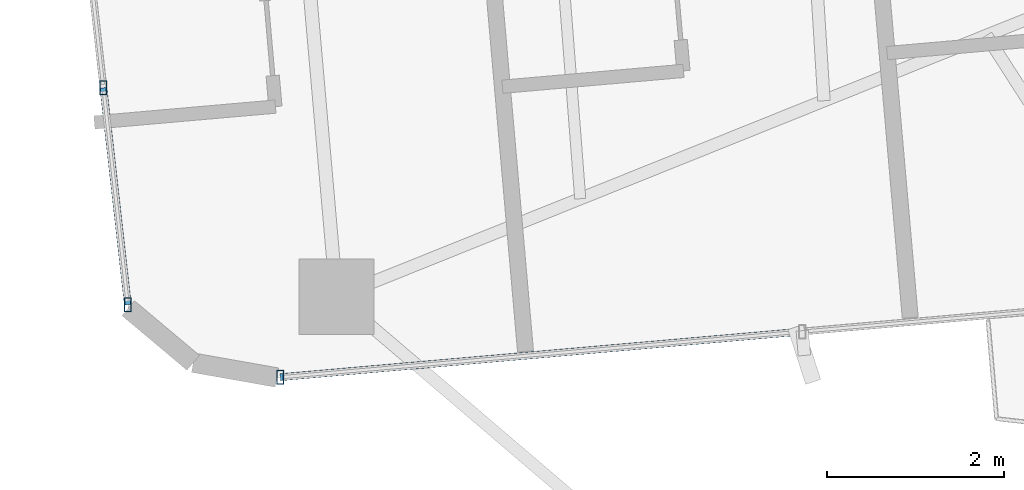
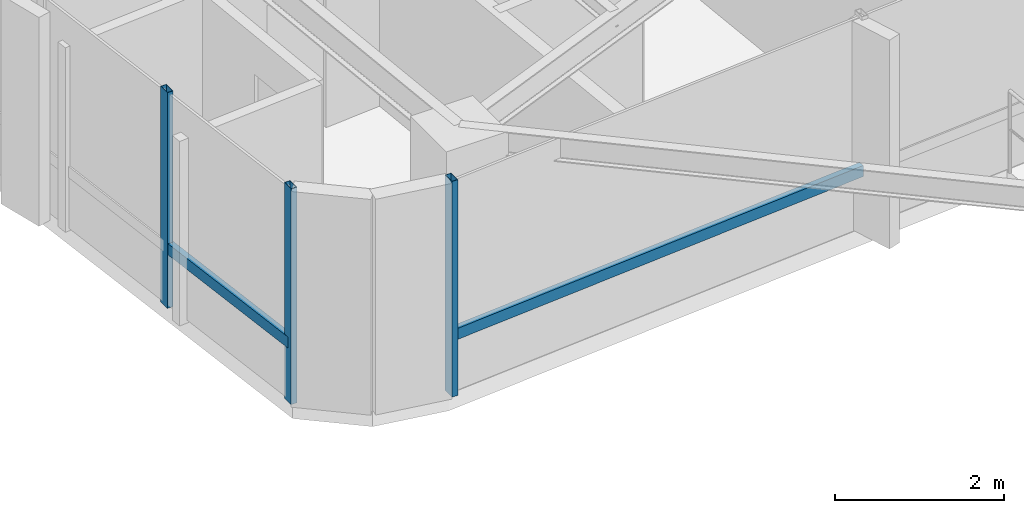
# One storey, part 3 of 24: 5 members, 2 elements without a shape of their own.
"""IFC4 building model written with IfcOpenShell, lengths in metres."""

import ifcopenshell
import ifcopenshell.guid

model = None  # the IFC model being written
_history = None  # IfcOwnerHistory: only IFC2X3 demands one
_inside = {}  # id of a spatial element -> (the spatial element, [elements in it])
_under = {}  # id of a project, library or spatial element -> (it, [spatial elements below it])
_declared = {}  # id of a project -> (the project, [libraries it declares])
_typed = {}  # id of a type object -> (the type object, [elements of that type])
_made_of = {}  # id of a material, layer set ... -> (it, [elements and type objects made of it])


def new_model(schema):
    """Start an empty IFC model of exactly this schema.

    Asked for "IFC4X3", IfcOpenShell would pick the latest addendum, in which some entities
    have other attributes; the version numbers below select the first issue.
    IFC2X3 requires an IfcOwnerHistory on every rooted entity: one is made here for all.
    """
    global model, _history
    if schema == "IFC4X3":
        model = ifcopenshell.file(schema_version=(4, 3, 0, 0))
    else:
        model = ifcopenshell.file(schema=schema)
    _inside.clear()
    _under.clear()
    _declared.clear()
    _typed.clear()
    _made_of.clear()
    _history = None
    if model.schema == "IFC2X3":
        org = make("IfcOrganization", Name="unknown")
        user = make(
            "IfcPersonAndOrganization",
            ThePerson=make("IfcPerson", FamilyName="unknown"),
            TheOrganization=org,
        )
        app = make(
            "IfcApplication",
            ApplicationDeveloper=org,
            Version="unknown",
            ApplicationFullName="unknown",
            ApplicationIdentifier="unknown",
        )
        _history = make(
            "IfcOwnerHistory",
            OwningUser=user,
            OwningApplication=app,
            ChangeAction="ADDED",
            CreationDate=0,
        )
    return model


def make(cls, **values):
    """One entity of the class cls with the attributes given. An attribute that is None is left unset."""
    return model.create_entity(
        cls, **{name: value for name, value in values.items() if value is not None}
    )


def rooted(cls, **values):
    """An entity with a GlobalId (a new one), such as an element, a storey or a relation."""
    return make(cls, GlobalId=ifcopenshell.guid.new(), OwnerHistory=_history, **values)


def si_unit(unit_type, name, prefix=None):
    """IfcSIUnit, for example si_unit("LENGTHUNIT", "METRE", prefix="MILLI")."""
    return make("IfcSIUnit", UnitType=unit_type, Prefix=prefix, Name=name)


def assignment(units):
    """IfcUnitAssignment: the units of a project."""
    return None if units is None else make("IfcUnitAssignment", Units=units)


def point(xyz):
    """IfcCartesianPoint."""
    return None if xyz is None else make("IfcCartesianPoint", Coordinates=xyz)


def direction(xyz):
    """IfcDirection."""
    return None if xyz is None else make("IfcDirection", DirectionRatios=xyz)


def frame(location, z_axis=None, x_axis=None):
    """IfcAxis2Placement3D, a coordinate frame: its origin and axes. An axis left out is left unset."""
    return make(
        "IfcAxis2Placement3D",
        Location=point(location),
        Axis=direction(z_axis),
        RefDirection=direction(x_axis),
    )


def frame_2d(location, x_axis=None):
    """IfcAxis2Placement2D, a coordinate frame in the plane: its origin and x axis."""
    return make(
        "IfcAxis2Placement2D", Location=point(location), RefDirection=direction(x_axis)
    )


def origin():
    """The frame at (0, 0, 0) with its axes left unset."""
    return frame((0.0, 0.0, 0.0))


def origin_2d():
    """The frame at (0, 0) in the plane with its x axis left unset."""
    return frame_2d((0.0, 0.0))


def place(relative_to, where):
    """IfcLocalPlacement: puts the frame where relative to a parent placement (None: the world)."""
    return make(
        "IfcLocalPlacement", PlacementRelTo=relative_to, RelativePlacement=where
    )


def context(
    kind, dimensions, precision=None, world=None, true_north=None, identifier=None
):
    """IfcGeometricRepresentationContext, for example the 3D "Model" context."""
    return make(
        "IfcGeometricRepresentationContext",
        ContextIdentifier=identifier,
        ContextType=kind,
        CoordinateSpaceDimension=dimensions,
        Precision=precision,
        WorldCoordinateSystem=world,
        TrueNorth=true_north,
    )


def subcontext(parent, identifier, kind, view, scale=None):
    """IfcGeometricRepresentationSubContext, for example "Body" below "Model"."""
    return make(
        "IfcGeometricRepresentationSubContext",
        ContextIdentifier=identifier,
        ContextType=kind,
        ParentContext=parent,
        TargetScale=scale,
        TargetView=view,
    )


def project(units=None, contexts=None):
    """IfcProject with its units and contexts."""
    return rooted(
        "IfcProject",
        Name="project",
        RepresentationContexts=contexts,
        UnitsInContext=assignment(units),
    )


def spatial(cls, under=None, at=None, **own):
    """A site, building, storey or space (cls), placed at a placement, below another one or the project."""
    s = rooted(cls, ObjectPlacement=at, **own)
    if under is not None:
        _under.setdefault(under.id(), (under, []))[1].append(s)
    return s


def profile(cls, at=None, kind="AREA", **sizes):
    """A parametric profile (cls). Its sizes go by their IFC names, for example OverallWidth=200.0."""
    return make(cls, ProfileType=kind, Position=at, **sizes)


def hollow_rectangle(**sizes):
    """IfcRectangleHollowProfileDef."""
    return profile("IfcRectangleHollowProfileDef", **sizes)


def extrude(swept, where, along, depth):
    """IfcExtrudedAreaSolid: the profile swept, set in the frame where, extruded along a direction by depth."""
    return make(
        "IfcExtrudedAreaSolid",
        SweptArea=swept,
        Position=where,
        ExtrudedDirection=direction(along),
        Depth=depth,
    )


def shape(context_of_items, identifier, shape_type, items):
    """IfcShapeRepresentation: the items that make up one representation, for example the "Body"."""
    return make(
        "IfcShapeRepresentation",
        ContextOfItems=context_of_items,
        RepresentationIdentifier=identifier,
        RepresentationType=shape_type,
        Items=items,
    )


def source(mapping_origin, context_of_items, identifier, shape_type, items):
    """IfcRepresentationMap: a shape defined once, which mapped items show again and again."""
    return make(
        "IfcRepresentationMap",
        MappingOrigin=mapping_origin,
        MappedRepresentation=shape(context_of_items, identifier, shape_type, items),
    )


def transform(
    local_origin,
    x_axis=None,
    y_axis=None,
    z_axis=None,
    scale=None,
    scale2=None,
    scale3=None,
    uniform=True,
):
    """IfcCartesianTransformationOperator3D, or its non-uniform kind. x_axis, y_axis, z_axis: its Axis1, 2, 3."""
    if uniform:
        return make(
            "IfcCartesianTransformationOperator3D",
            Axis1=direction(x_axis),
            Axis2=direction(y_axis),
            LocalOrigin=point(local_origin),
            Scale=scale,
            Axis3=direction(z_axis),
        )
    return make(
        "IfcCartesianTransformationOperator3DnonUniform",
        Axis1=direction(x_axis),
        Axis2=direction(y_axis),
        LocalOrigin=point(local_origin),
        Scale=scale,
        Axis3=direction(z_axis),
        Scale2=scale2,
        Scale3=scale3,
    )


def mapped(mapping_source, mapping_target):
    """IfcMappedItem: shows the shape of a source again, moved by a transform."""
    return make(
        "IfcMappedItem", MappingSource=mapping_source, MappingTarget=mapping_target
    )


def material(Name=None, Category=None):
    """IfcMaterial."""
    return make("IfcMaterial", Name=Name, Category=Category)


def material_profile(
    of_material, cross_section, Name=None, Category=None, Priority=None
):
    """IfcMaterialProfile: a cross section and its material."""
    return make(
        "IfcMaterialProfile",
        Name=Name,
        Material=of_material,
        Profile=cross_section,
        Priority=Priority,
        Category=Category,
    )


def profile_set(profiles, Name=None, composite=None):
    """IfcMaterialProfileSet."""
    return make(
        "IfcMaterialProfileSet",
        Name=Name,
        MaterialProfiles=profiles,
        CompositeProfile=composite,
    )


def made_of(thing, what):
    """Note that an element or type object is made of a material, layer set ...; save() writes the relation."""
    if what is not None:
        _made_of.setdefault(what.id(), (what, []))[1].append(thing)
    return thing


def type_object(cls, material=None, **own):
    """A type object (cls), such as IfcWallType, which elements share."""
    return made_of(rooted(cls, **own), material)


def element(
    cls,
    number,
    at=None,
    inside=None,
    cuts=None,
    type_object=None,
    material=None,
    context=None,
    identifier="Body",
    shape_type=None,
    held_by="IfcProductDefinitionShape",
    body=None,
    shapes=None,
    **own,
):
    """One element of the class cls, such as IfcWall. Its Tag is "e" and its number.

    at: its placement. inside: the storey or other place that contains it. cuts: it is an
    opening in that element (IfcRelVoidsElement). A single representation is given by context,
    identifier, shape_type and body (its items); several are given by shapes. held_by: the class
    of the entity that holds the representations. save() writes the other relations.
    """
    e = rooted(cls, Tag="e%d" % number, ObjectPlacement=at, **own)
    if body is not None:
        shapes = [shape(context, identifier, shape_type, body)]
    if shapes is not None:
        e.Representation = make(held_by, Representations=shapes)
    if inside is not None:
        _inside.setdefault(inside.id(), (inside, []))[1].append(e)
    if cuts is not None:
        rooted(
            "IfcRelVoidsElement", RelatingBuildingElement=cuts, RelatedOpeningElement=e
        )
    if type_object is not None:
        _typed.setdefault(type_object.id(), (type_object, []))[1].append(e)
    return made_of(e, material)


def aggregate(whole, parts):
    """IfcRelAggregates: a whole, such as a stair, and the parts it consists of."""
    return rooted("IfcRelAggregates", RelatingObject=whole, RelatedObjects=parts)


def save(model, path):
    """Write the relations noted so far, then the file.

    IfcRelAggregates (storeys below a building ...), IfcRelContainedInSpatialStructure (elements
    in a storey), IfcRelDefinesByType, IfcRelAssociatesMaterial and IfcRelDeclares: one each for
    every whole, place, type object, material and project.
    """
    for whole, parts in _under.values():
        aggregate(whole, parts)
    for where, things in _inside.values():
        rooted(
            "IfcRelContainedInSpatialStructure",
            RelatedElements=things,
            RelatingStructure=where,
        )
    for kind, things in _typed.values():
        rooted("IfcRelDefinesByType", RelatedObjects=things, RelatingType=kind)
    for what, things in _made_of.values():
        rooted("IfcRelAssociatesMaterial", RelatedObjects=things, RelatingMaterial=what)
    for by, libraries in _declared.values():
        rooted("IfcRelDeclares", RelatingContext=by, RelatedDefinitions=libraries)
    model.write(path)


model = new_model("IFC4")

# Units and contexts
model_context = context("Model", 3, precision=1e-05, world=origin(), true_north=direction((0.0, 1.0)))
body_context = subcontext(model_context, "Body", "Model", "MODEL_VIEW")
ifc_project = project(units=[si_unit("LENGTHUNIT", "METRE"), si_unit("AREAUNIT", "SQUARE_METRE"), si_unit("VOLUMEUNIT", "CUBIC_METRE"), si_unit("PLANEANGLEUNIT", "RADIAN"), si_unit("MASSUNIT", "GRAM", prefix="KILO")], contexts=[model_context])

# Site, building, storey
site_placement = place(None, origin())
site = spatial("IfcSite", under=ifc_project, at=site_placement, CompositionType="ELEMENT")
building_placement = place(site_placement, origin())
building = spatial("IfcBuilding", under=site, at=building_placement, Name="Sahyath Konkavel Grand Hotel", CompositionType="ELEMENT")
storey_placement = place(building_placement, frame((0.0, 0.0, 178.550048828125)))
storey = spatial("IfcBuildingStorey", under=building, at=storey_placement, Name="L49", CompositionType="ELEMENT", Elevation=178.550048828125)

# Curtain wall, members
ifc_material_1 = material(Name="Anodised Bronze Aluminium & Low-E Glazing", Category="aluminium")
curtain_wall_type = type_object("IfcCurtainWallType", Name="CW-ZONE3", PredefinedType="NOTDEFINED", material=ifc_material_1)
curtain_wall_1_placement = place(storey_placement, origin())
curtain_wall_1 = element("IfcCurtainWall", 1, at=curtain_wall_1_placement, inside=storey, type_object=curtain_wall_type, Name="L49 Unitised Curtain Wall F20", PredefinedType="NOTDEFINED")
ifc_material_2 = material(Name="Anodised Bronze Aluminium", Category="aluminium")
ifc_material_profile_1 = material_profile(ifc_material_2, hollow_rectangle(XDim=0.080078125, YDim=0.159912109375, WallThickness=0.006103515625, at=origin_2d()), Name="RHS 160x80x6")
ifc_profile_set_1 = profile_set([ifc_material_profile_1], Name="Anodised Bronze Aluminium")
member_type_1 = type_object("IfcMemberType", Name="CW-MUL-160", PredefinedType="MULLION", material=ifc_profile_set_1)
shared_shape_1 = source(origin(), body_context, "Body", "SweptSolid", [
    extrude(hollow_rectangle(XDim=0.080078125, YDim=0.159912109375, WallThickness=0.006103515625, at=origin_2d()), origin(), (0.0, 0.0, 1.0), 3.10986328125),
])
member_1_placement = place(storey_placement, frame((-19.583984375, -4.648193359375, 0.0), z_axis=(0.0, 0.0, 1.0), x_axis=(1.0, 0.0, 0.0)))
member_1 = element("IfcMember", 2, at=member_1_placement, type_object=member_type_1, Name="L49 Curtain Wall Mullion F20-3", PredefinedType="MULLION", context=body_context, shape_type="MappedRepresentation", body=[
    mapped(shared_shape_1, transform((0.0, 0.0, 0.0), scale=1.0)),
])
member_2_placement = place(storey_placement, frame((-19.308349609375, -7.094970703125, 0.0), z_axis=(0.0, 0.0, 1.0), x_axis=(1.0, 0.0, 0.0)))
member_2 = element("IfcMember", 3, at=member_2_placement, type_object=member_type_1, Name="L49 Curtain Wall Mullion F20-4", PredefinedType="MULLION", context=body_context, shape_type="MappedRepresentation", body=[
    mapped(shared_shape_1, transform((0.0, 0.0, 0.0), scale=1.0)),
])

# Curtain wall, member
curtain_wall_2_placement = place(storey_placement, origin())
curtain_wall_2 = element("IfcCurtainWall", 4, at=curtain_wall_2_placement, inside=storey, type_object=curtain_wall_type, Name="L49 Unitised Curtain Wall F23", PredefinedType="NOTDEFINED")
member_3_placement = place(storey_placement, frame((-17.58740234375, -7.912841796875, 0.0), z_axis=(0.0, 0.0, 1.0), x_axis=(1.0, 0.0, 0.0)))
member_3 = element("IfcMember", 5, at=member_3_placement, type_object=member_type_1, Name="L49 Curtain Wall Mullion F23-0", PredefinedType="MULLION", context=body_context, shape_type="MappedRepresentation", body=[
    mapped(shared_shape_1, transform((0.0, 0.0, 0.0), scale=1.0)),
])

# Member
ifc_material_profile_2 = material_profile(ifc_material_2, hollow_rectangle(XDim=0.080078125, YDim=0.159912109375, WallThickness=0.006103515625, at=origin_2d()), Name="RHS 160x80x6")
ifc_profile_set_2 = profile_set([ifc_material_profile_2], Name="Anodised Bronze Aluminium")
member_type_2 = type_object("IfcMemberType", Name="CW-TRN-160", PredefinedType="USERDEFINED", material=ifc_profile_set_2)
shared_shape_2 = source(origin(), body_context, "Body", "SweptSolid", [
    extrude(hollow_rectangle(XDim=0.080078125, YDim=0.159912109375, WallThickness=0.006103515625, at=origin_2d()), origin(), (0.0, 0.0, 1.0), 2.462158203125),
])
member_4_placement = place(storey_placement, frame((-19.583984375, -4.648193359375, 0.849853515625), z_axis=(0.11194409079, -0.993714506555, 0.0), x_axis=(0.993714506555, 0.11194409079, 0.0)))
member_4 = element("IfcMember", 6, at=member_4_placement, type_object=member_type_2, Name="L49 Curtain Wall Transom F20-3-spandrel", ObjectType="TRANSOM", PredefinedType="USERDEFINED", context=body_context, shape_type="MappedRepresentation", body=[
    mapped(shared_shape_2, transform((0.0, 0.0, 0.0), scale=1.0)),
])

aggregate(curtain_wall_1, [member_1, member_2, member_4])

shared_shape_3 = source(origin(), body_context, "Body", "SweptSolid", [
    extrude(hollow_rectangle(XDim=0.080078125, YDim=0.159912109375, WallThickness=0.006103515625, at=origin_2d()), origin(), (0.0, 0.0, 1.0), 5.91015625),
])
member_5_placement = place(storey_placement, frame((-17.58740234375, -7.912841796875, 0.849853515625), z_axis=(0.996197841474, 0.087119806256, 0.0), x_axis=(-0.087119806256, 0.996197841474, 0.0)))
member_5 = element("IfcMember", 7, at=member_5_placement, type_object=member_type_2, Name="L49 Curtain Wall Transom F23-0-spandrel", ObjectType="TRANSOM", PredefinedType="USERDEFINED", context=body_context, shape_type="MappedRepresentation", body=[
    mapped(shared_shape_3, transform((0.0, 0.0, 0.0), scale=1.0)),
])

aggregate(curtain_wall_2, [member_3, member_5])

save(model, "model.ifc")
